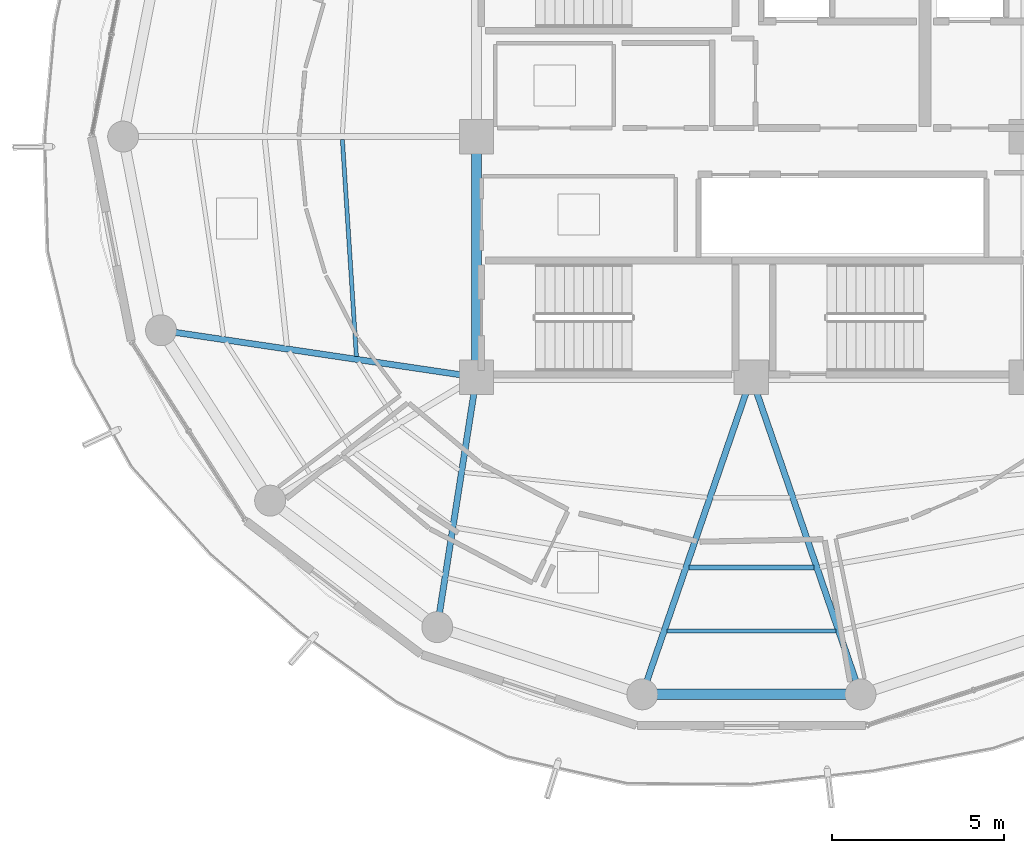
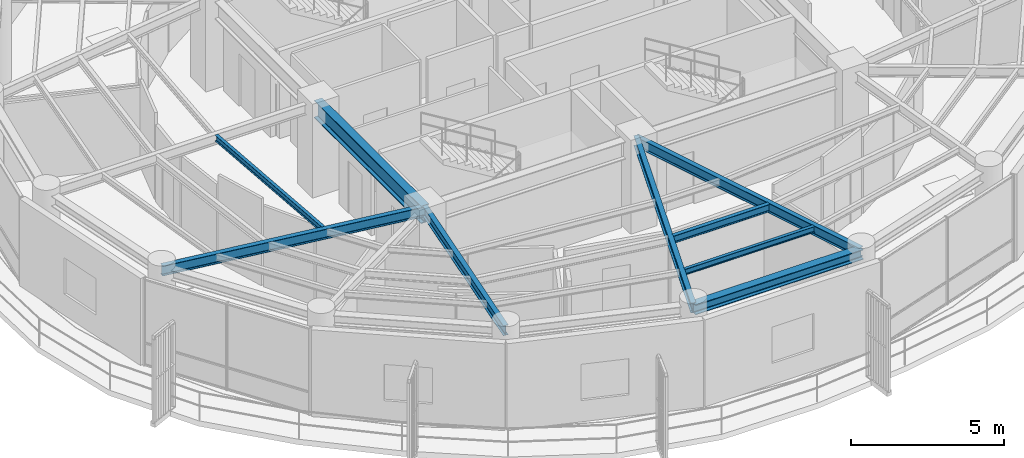
# One storey, part 4 of 23: 9 beams.
"""IFC4 building model written with IfcOpenShell, lengths in metres."""

import ifcopenshell
import ifcopenshell.guid

model = None  # the IFC model being written
_history = None  # IfcOwnerHistory: only IFC2X3 demands one
_inside = {}  # id of a spatial element -> (the spatial element, [elements in it])
_under = {}  # id of a project, library or spatial element -> (it, [spatial elements below it])
_declared = {}  # id of a project -> (the project, [libraries it declares])
_typed = {}  # id of a type object -> (the type object, [elements of that type])
_made_of = {}  # id of a material, layer set ... -> (it, [elements and type objects made of it])


def new_model(schema):
    """Start an empty IFC model of exactly this schema.

    Asked for "IFC4X3", IfcOpenShell would pick the latest addendum, in which some entities
    have other attributes; the version numbers below select the first issue.
    IFC2X3 requires an IfcOwnerHistory on every rooted entity: one is made here for all.
    """
    global model, _history
    if schema == "IFC4X3":
        model = ifcopenshell.file(schema_version=(4, 3, 0, 0))
    else:
        model = ifcopenshell.file(schema=schema)
    _inside.clear()
    _under.clear()
    _declared.clear()
    _typed.clear()
    _made_of.clear()
    _history = None
    if model.schema == "IFC2X3":
        org = make("IfcOrganization", Name="unknown")
        user = make(
            "IfcPersonAndOrganization",
            ThePerson=make("IfcPerson", FamilyName="unknown"),
            TheOrganization=org,
        )
        app = make(
            "IfcApplication",
            ApplicationDeveloper=org,
            Version="unknown",
            ApplicationFullName="unknown",
            ApplicationIdentifier="unknown",
        )
        _history = make(
            "IfcOwnerHistory",
            OwningUser=user,
            OwningApplication=app,
            ChangeAction="ADDED",
            CreationDate=0,
        )
    return model


def make(cls, **values):
    """One entity of the class cls with the attributes given. An attribute that is None is left unset."""
    return model.create_entity(
        cls, **{name: value for name, value in values.items() if value is not None}
    )


def rooted(cls, **values):
    """An entity with a GlobalId (a new one), such as an element, a storey or a relation."""
    return make(cls, GlobalId=ifcopenshell.guid.new(), OwnerHistory=_history, **values)


def si_unit(unit_type, name, prefix=None):
    """IfcSIUnit, for example si_unit("LENGTHUNIT", "METRE", prefix="MILLI")."""
    return make("IfcSIUnit", UnitType=unit_type, Prefix=prefix, Name=name)


def assignment(units):
    """IfcUnitAssignment: the units of a project."""
    return None if units is None else make("IfcUnitAssignment", Units=units)


def point(xyz):
    """IfcCartesianPoint."""
    return None if xyz is None else make("IfcCartesianPoint", Coordinates=xyz)


def direction(xyz):
    """IfcDirection."""
    return None if xyz is None else make("IfcDirection", DirectionRatios=xyz)


def frame(location, z_axis=None, x_axis=None):
    """IfcAxis2Placement3D, a coordinate frame: its origin and axes. An axis left out is left unset."""
    return make(
        "IfcAxis2Placement3D",
        Location=point(location),
        Axis=direction(z_axis),
        RefDirection=direction(x_axis),
    )


def frame_2d(location, x_axis=None):
    """IfcAxis2Placement2D, a coordinate frame in the plane: its origin and x axis."""
    return make(
        "IfcAxis2Placement2D", Location=point(location), RefDirection=direction(x_axis)
    )


def origin():
    """The frame at (0, 0, 0) with its axes left unset."""
    return frame((0.0, 0.0, 0.0))


def origin_2d():
    """The frame at (0, 0) in the plane with its x axis left unset."""
    return frame_2d((0.0, 0.0))


def place(relative_to, where):
    """IfcLocalPlacement: puts the frame where relative to a parent placement (None: the world)."""
    return make(
        "IfcLocalPlacement", PlacementRelTo=relative_to, RelativePlacement=where
    )


def context(
    kind, dimensions, precision=None, world=None, true_north=None, identifier=None
):
    """IfcGeometricRepresentationContext, for example the 3D "Model" context."""
    return make(
        "IfcGeometricRepresentationContext",
        ContextIdentifier=identifier,
        ContextType=kind,
        CoordinateSpaceDimension=dimensions,
        Precision=precision,
        WorldCoordinateSystem=world,
        TrueNorth=true_north,
    )


def subcontext(parent, identifier, kind, view, scale=None):
    """IfcGeometricRepresentationSubContext, for example "Body" below "Model"."""
    return make(
        "IfcGeometricRepresentationSubContext",
        ContextIdentifier=identifier,
        ContextType=kind,
        ParentContext=parent,
        TargetScale=scale,
        TargetView=view,
    )


def project(units=None, contexts=None):
    """IfcProject with its units and contexts."""
    return rooted(
        "IfcProject",
        Name="project",
        RepresentationContexts=contexts,
        UnitsInContext=assignment(units),
    )


def spatial(cls, under=None, at=None, **own):
    """A site, building, storey or space (cls), placed at a placement, below another one or the project."""
    s = rooted(cls, ObjectPlacement=at, **own)
    if under is not None:
        _under.setdefault(under.id(), (under, []))[1].append(s)
    return s


def profile(cls, at=None, kind="AREA", **sizes):
    """A parametric profile (cls). Its sizes go by their IFC names, for example OverallWidth=200.0."""
    return make(cls, ProfileType=kind, Position=at, **sizes)


def i_section(**sizes):
    """IfcIShapeProfileDef."""
    return profile("IfcIShapeProfileDef", **sizes)


def extrude(swept, where, along, depth):
    """IfcExtrudedAreaSolid: the profile swept, set in the frame where, extruded along a direction by depth."""
    return make(
        "IfcExtrudedAreaSolid",
        SweptArea=swept,
        Position=where,
        ExtrudedDirection=direction(along),
        Depth=depth,
    )


def shape(context_of_items, identifier, shape_type, items):
    """IfcShapeRepresentation: the items that make up one representation, for example the "Body"."""
    return make(
        "IfcShapeRepresentation",
        ContextOfItems=context_of_items,
        RepresentationIdentifier=identifier,
        RepresentationType=shape_type,
        Items=items,
    )


def material(Name=None, Category=None):
    """IfcMaterial."""
    return make("IfcMaterial", Name=Name, Category=Category)


def material_profile(
    of_material, cross_section, Name=None, Category=None, Priority=None
):
    """IfcMaterialProfile: a cross section and its material."""
    return make(
        "IfcMaterialProfile",
        Name=Name,
        Material=of_material,
        Profile=cross_section,
        Priority=Priority,
        Category=Category,
    )


def profile_set(profiles, Name=None, composite=None):
    """IfcMaterialProfileSet."""
    return make(
        "IfcMaterialProfileSet",
        Name=Name,
        MaterialProfiles=profiles,
        CompositeProfile=composite,
    )


def made_of(thing, what):
    """Note that an element or type object is made of a material, layer set ...; save() writes the relation."""
    if what is not None:
        _made_of.setdefault(what.id(), (what, []))[1].append(thing)
    return thing


def type_object(cls, material=None, **own):
    """A type object (cls), such as IfcWallType, which elements share."""
    return made_of(rooted(cls, **own), material)


def element(
    cls,
    number,
    at=None,
    inside=None,
    cuts=None,
    type_object=None,
    material=None,
    context=None,
    identifier="Body",
    shape_type=None,
    held_by="IfcProductDefinitionShape",
    body=None,
    shapes=None,
    **own,
):
    """One element of the class cls, such as IfcWall. Its Tag is "e" and its number.

    at: its placement. inside: the storey or other place that contains it. cuts: it is an
    opening in that element (IfcRelVoidsElement). A single representation is given by context,
    identifier, shape_type and body (its items); several are given by shapes. held_by: the class
    of the entity that holds the representations. save() writes the other relations.
    """
    e = rooted(cls, Tag="e%d" % number, ObjectPlacement=at, **own)
    if body is not None:
        shapes = [shape(context, identifier, shape_type, body)]
    if shapes is not None:
        e.Representation = make(held_by, Representations=shapes)
    if inside is not None:
        _inside.setdefault(inside.id(), (inside, []))[1].append(e)
    if cuts is not None:
        rooted(
            "IfcRelVoidsElement", RelatingBuildingElement=cuts, RelatedOpeningElement=e
        )
    if type_object is not None:
        _typed.setdefault(type_object.id(), (type_object, []))[1].append(e)
    return made_of(e, material)


def aggregate(whole, parts):
    """IfcRelAggregates: a whole, such as a stair, and the parts it consists of."""
    return rooted("IfcRelAggregates", RelatingObject=whole, RelatedObjects=parts)


def save(model, path):
    """Write the relations noted so far, then the file.

    IfcRelAggregates (storeys below a building ...), IfcRelContainedInSpatialStructure (elements
    in a storey), IfcRelDefinesByType, IfcRelAssociatesMaterial and IfcRelDeclares: one each for
    every whole, place, type object, material and project.
    """
    for whole, parts in _under.values():
        aggregate(whole, parts)
    for where, things in _inside.values():
        rooted(
            "IfcRelContainedInSpatialStructure",
            RelatedElements=things,
            RelatingStructure=where,
        )
    for kind, things in _typed.values():
        rooted("IfcRelDefinesByType", RelatedObjects=things, RelatingType=kind)
    for what, things in _made_of.values():
        rooted("IfcRelAssociatesMaterial", RelatedObjects=things, RelatingMaterial=what)
    for by, libraries in _declared.values():
        rooted("IfcRelDeclares", RelatingContext=by, RelatedDefinitions=libraries)
    model.write(path)


model = new_model("IFC4")

# Units and contexts
model_context = context("Model", 3, precision=1e-05, world=origin(), true_north=direction((0.0, 1.0)))
body_context = subcontext(model_context, "Body", "Model", "MODEL_VIEW")
ifc_project = project(units=[si_unit("LENGTHUNIT", "METRE"), si_unit("AREAUNIT", "SQUARE_METRE"), si_unit("VOLUMEUNIT", "CUBIC_METRE"), si_unit("PLANEANGLEUNIT", "RADIAN"), si_unit("MASSUNIT", "GRAM", prefix="KILO")], contexts=[model_context])

# Site, building, storey
site_placement = place(None, origin())
site = spatial("IfcSite", under=ifc_project, at=site_placement, CompositionType="ELEMENT")
building_placement = place(site_placement, origin())
building = spatial("IfcBuilding", under=site, at=building_placement, Name="Kelanora Arch Commons", CompositionType="ELEMENT")
storey_placement = place(building_placement, frame((0.0, 0.0, 282.449951171875)))
storey = spatial("IfcBuildingStorey", under=building, at=storey_placement, Name="L72", CompositionType="ELEMENT", Elevation=282.449951171875)

# Beams
ifc_material = material(Name="Steel S355", Category="steel")
ifc_material_profile_1 = material_profile(ifc_material, i_section(OverallWidth=0.300048828125, OverallDepth=0.699951171875, WebThickness=0.01708984375, FlangeThickness=0.031982421875, FilletRadius=0.027099609375, at=origin_2d()), Name="HEB700")
ifc_profile_set_1 = profile_set([ifc_material_profile_1], Name="Steel S355")
beam_type_1 = type_object("IfcBeamType", Name="BM-CORE-HDR", PredefinedType="BEAM", material=ifc_profile_set_1)
beam_1_placement = place(storey_placement, frame((66.0, 58.0, 3.14013671875), z_axis=(0.0, -1.0, 0.0), x_axis=(1.0, 0.0, 0.0)))
element("IfcBeam", 1, at=beam_1_placement, inside=storey, type_object=beam_type_1, Name="Core Header Beam 09 L72", PredefinedType="BEAM", context=body_context, shape_type="SweptSolid", body=[
    extrude(i_section(OverallWidth=0.300048828125, OverallDepth=0.699951171875, WebThickness=0.01708984375, FlangeThickness=0.031982421875, FilletRadius=0.027099609375, at=origin_2d()), origin(), (0.0, 0.0, 1.0), 7.0),
])
ifc_material_profile_2 = material_profile(ifc_material, i_section(OverallWidth=0.14990234375, OverallDepth=0.300048828125, WebThickness=0.007080078125, FlangeThickness=0.0107421875, FilletRadius=0.014892578125, at=origin_2d()), Name="IPE300")
ifc_profile_set_2 = profile_set([ifc_material_profile_2], Name="Steel S355")
beam_type_2 = type_object("IfcBeamType", Name="BM-JST-01", PredefinedType="JOIST", material=ifc_profile_set_2)
beam_2_placement = place(storey_placement, frame((72.180419921875, 45.462158203125, 3.340087890625), z_axis=(1.0, 0.0, 0.0), x_axis=(0.0, 1.0, 0.0)))
element("IfcBeam", 2, at=beam_2_placement, inside=storey, type_object=beam_type_2, Name="Secondary Chord Joist BJB-26 L72", PredefinedType="JOIST", context=body_context, shape_type="SweptSolid", body=[
    extrude(i_section(OverallWidth=0.14990234375, OverallDepth=0.300048828125, WebThickness=0.007080078125, FlangeThickness=0.0107421875, FilletRadius=0.014892578125, at=origin_2d()), origin(), (0.0, 0.0, 1.0), 3.63916015625),
])
ifc_material_profile_3 = material_profile(ifc_material, i_section(OverallWidth=0.1201171875, OverallDepth=0.239990234375, WebThickness=0.006103515625, FlangeThickness=0.009765625, FilletRadius=0.014892578125, at=origin_2d()), Name="IPE240")
ifc_profile_set_3 = profile_set([ifc_material_profile_3], Name="Steel S355")
beam_type_3 = type_object("IfcBeamType", Name="BM-JST-02", PredefinedType="JOIST", material=ifc_profile_set_3)
beam_3_placement = place(storey_placement, frame((62.09912109375, 57.915283203125, 3.3701171875), z_axis=(0.064495107978, -0.99791802321, 0.0), x_axis=(0.99791802321, 0.064495107978, 0.0)))
element("IfcBeam", 3, at=beam_3_placement, inside=storey, type_object=beam_type_3, Name="Secondary Chord Joist BJA-18 L72", PredefinedType="JOIST", context=body_context, shape_type="SweptSolid", body=[
    extrude(i_section(OverallWidth=0.1201171875, OverallDepth=0.239990234375, WebThickness=0.006103515625, FlangeThickness=0.009765625, FilletRadius=0.014892578125, at=origin_2d()), origin(), (0.0, 0.0, 1.0), 6.325439453125),
])
beam_4_placement = place(storey_placement, frame((71.545654296875, 43.6162109375, 3.3701171875), z_axis=(1.0, 0.0, 0.0), x_axis=(0.0, 1.0, 0.0)))
element("IfcBeam", 4, at=beam_4_placement, inside=storey, type_object=beam_type_3, Name="Secondary Chord Joist BJC-26 L72", PredefinedType="JOIST", context=body_context, shape_type="SweptSolid", body=[
    extrude(i_section(OverallWidth=0.1201171875, OverallDepth=0.239990234375, WebThickness=0.006103515625, FlangeThickness=0.009765625, FilletRadius=0.014892578125, at=origin_2d()), origin(), (0.0, 0.0, 1.0), 4.90869140625),
])
ifc_material_profile_4 = material_profile(ifc_material, i_section(OverallWidth=0.179931640625, OverallDepth=0.39990234375, WebThickness=0.008544921875, FlangeThickness=0.013427734375, FilletRadius=0.02099609375, at=origin_2d()), Name="IPE400")
ifc_profile_set_4 = profile_set([ifc_material_profile_4], Name="Steel S355")
beam_type_4 = type_object("IfcBeamType", Name="BM-RAD-Z5", PredefinedType="BEAM", material=ifc_profile_set_4)
beam_5_placement = place(storey_placement, frame((66.0, 51.0, 3.2900390625), z_axis=(-0.989142485564, 0.146959665395, 0.0), x_axis=(-0.146959665395, -0.989142485564, 0.0)))
element("IfcBeam", 5, at=beam_5_placement, inside=storey, type_object=beam_type_4, Name="Radial Floor Girder BR-20 L72", PredefinedType="BEAM", context=body_context, shape_type="SweptSolid", body=[
    extrude(i_section(OverallWidth=0.179931640625, OverallDepth=0.39990234375, WebThickness=0.008544921875, FlangeThickness=0.013427734375, FilletRadius=0.02099609375, at=origin_2d()), origin(), (0.0, 0.0, 1.0), 9.2783203125),
])
beam_6_placement = place(storey_placement, frame((66.0, 51.0, 3.2900390625), z_axis=(-0.154855424129, -0.987937142544, 0.0), x_axis=(0.987937142544, -0.154855424129, 0.0)))
element("IfcBeam", 6, at=beam_6_placement, inside=storey, type_object=beam_type_4, Name="Radial Floor Girder BR-24 L72", PredefinedType="BEAM", context=body_context, shape_type="SweptSolid", body=[
    extrude(i_section(OverallWidth=0.179931640625, OverallDepth=0.39990234375, WebThickness=0.008544921875, FlangeThickness=0.013427734375, FilletRadius=0.02099609375, at=origin_2d()), origin(), (0.0, 0.0, 1.0), 7.361083984375),
])
for number, where, z_axis, x_axis, name in (
    (7, (74.0, 51.0, 3.2900390625), (-0.325233562807, -0.945633718532, 0.0), (0.945633718532, -0.325233562807, 0.0), "Radial Floor Girder BR-26 L72"),
    (8, (74.0, 51.0, 3.2900390625), (0.325233562807, -0.945633718532, 0.0), (0.945633718532, 0.325233562807, 0.0), "Radial Floor Girder BR-28 L72"),
):
    element("IfcBeam", number, at=place(storey_placement, frame(where, z_axis=z_axis, x_axis=x_axis)), inside=storey, type_object=beam_type_4, Name=name, PredefinedType="BEAM", context=body_context, shape_type="SweptSolid", body=[
        extrude(i_section(OverallWidth=0.179931640625, OverallDepth=0.39990234375, WebThickness=0.008544921875, FlangeThickness=0.013427734375, FilletRadius=0.02099609375, at=origin_2d()), origin(), (0.0, 0.0, 1.0), 9.760009765625),
    ])
ifc_material_profile_5 = material_profile(ifc_material, i_section(OverallWidth=0.300048828125, OverallDepth=0.39990234375, WebThickness=0.013427734375, FlangeThickness=0.02392578125, FilletRadius=0.027099609375, at=origin_2d()), Name="HEB400")
ifc_profile_set_5 = profile_set([ifc_material_profile_5], Name="Steel S355")
beam_type_5 = type_object("IfcBeamType", Name="BM-SPN-Z4", PredefinedType="SPANDREL", material=ifc_profile_set_5)
beam_7_placement = place(storey_placement, frame((70.82568359375, 41.7705078125, 3.2900390625), z_axis=(1.0, 0.0, 0.0), x_axis=(0.0, 1.0, 0.0)))
element("IfcBeam", 9, at=beam_7_placement, inside=storey, type_object=beam_type_5, Name="Perimeter Spandrel Beam BS-26 L72", PredefinedType="SPANDREL", context=body_context, shape_type="SweptSolid", body=[
    extrude(i_section(OverallWidth=0.300048828125, OverallDepth=0.39990234375, WebThickness=0.013427734375, FlangeThickness=0.02392578125, FilletRadius=0.027099609375, at=origin_2d()), origin(), (0.0, 0.0, 1.0), 6.3486328125),
])

save(model, "model.ifc")
